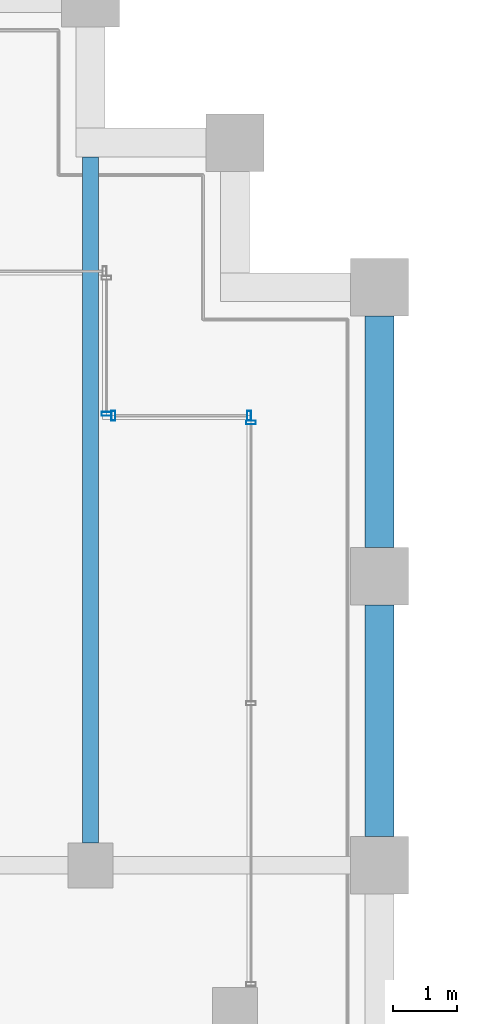
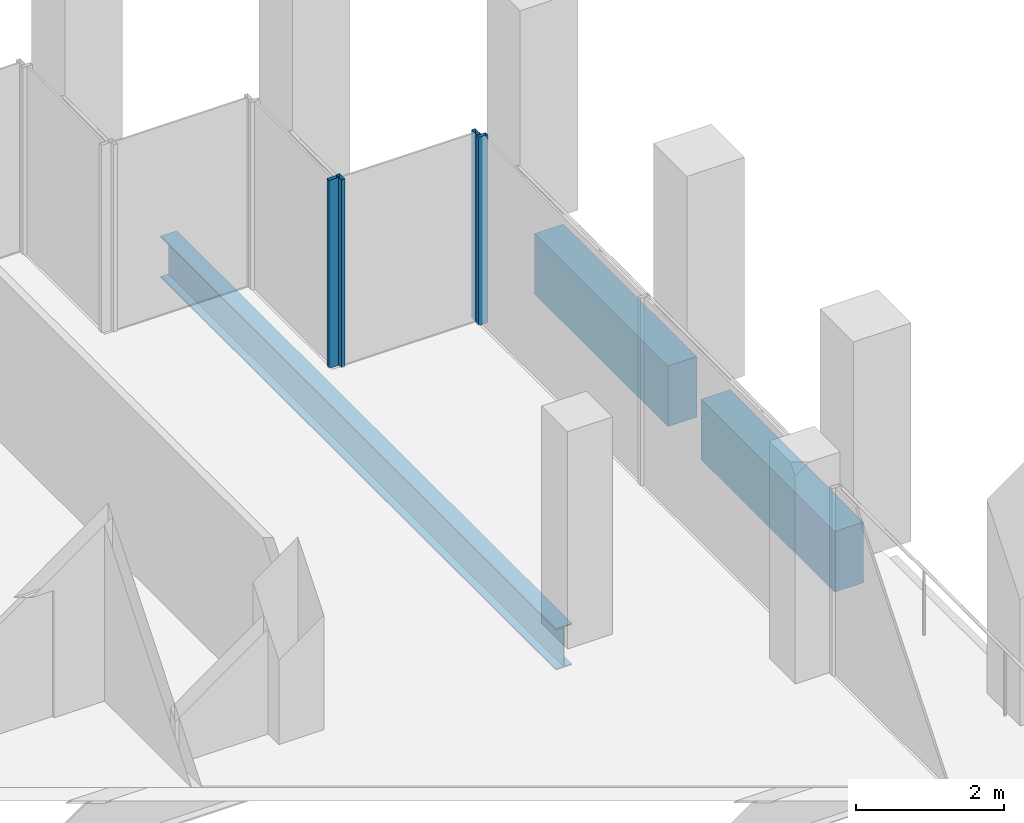
# One storey, part 25 of 40: 4 members, 3 beams, 3 elements without a shape of their own.
"""IFC4 building model written with IfcOpenShell, lengths in metres."""

from ifc_helpers import new_model, si_unit, direction, frame, origin, origin_2d, place, context, subcontext, project, spatial, rectangle, hollow_rectangle, i_section, extrude, material, material_profile, profile_set, type_object, element, aggregate, save


model = new_model("IFC4")

# Units and contexts
model_context = context("Model", 3, precision=1e-05, world=origin(), true_north=direction((0.0, 1.0)))
body_context = subcontext(model_context, "Body", "Model", "MODEL_VIEW")
ifc_project = project(units=[si_unit("LENGTHUNIT", "METRE"), si_unit("AREAUNIT", "SQUARE_METRE"), si_unit("VOLUMEUNIT", "CUBIC_METRE"), si_unit("PLANEANGLEUNIT", "RADIAN"), si_unit("MASSUNIT", "GRAM", prefix="KILO")], contexts=[model_context])

# Site, building, storey
site_placement = place(None, origin())
site = spatial("IfcSite", under=ifc_project, at=site_placement, CompositionType="ELEMENT")
building_placement = place(site_placement, origin())
building = spatial("IfcBuilding", under=site, at=building_placement, Name="Altepetl Exchange Towers", CompositionType="ELEMENT")
storey_placement = place(building_placement, frame((0.0, 0.0, 183.39990234375)))
storey = spatial("IfcBuildingStorey", under=building, at=storey_placement, Name="L46", CompositionType="ELEMENT", Elevation=183.39990234375)

# Beam
ifc_material_1 = material(Name="Steel S355", Category="steel")
ifc_material_profile_1 = material_profile(ifc_material_1, i_section(OverallWidth=0.25390625, OverallDepth=0.68408203125, WebThickness=0.012451171875, FlangeThickness=0.018798828125, at=origin_2d()), Name="W27X94")
ifc_profile_set_1 = profile_set([ifc_material_profile_1], Name="Steel S355")
beam_type_1 = type_object("IfcBeamType", Name="Floor beam W27X94", PredefinedType="BEAM", material=ifc_profile_set_1)
beam_placement = place(storey_placement, frame((67.5, 58.85009765625, -0.491943359375), z_axis=(0.0, 1.0, 0.0), x_axis=(-1.0, 0.0, 0.0)))
element("IfcBeam", 1, at=beam_placement, inside=storey, type_object=beam_type_1, Name="bm:A:L46:005", PredefinedType="BEAM", context=body_context, shape_type="SweptSolid", body=[
    extrude(i_section(OverallWidth=0.25390625, OverallDepth=0.68408203125, WebThickness=0.012451171875, FlangeThickness=0.018798828125, at=origin_2d()), origin(), (0.0, 0.0, 1.0), 10.6748046875),
])

# Curtain wall, member
ifc_material_2 = material(Name="Aluminium 6063-T6 glazing", Category="aluminium")
curtain_wall_type = type_object("IfcCurtainWallType", Name="Loggia glazing system", PredefinedType="NOTDEFINED", material=ifc_material_2)
curtain_wall_1_placement = place(storey_placement, origin())
curtain_wall_1 = element("IfcCurtainWall", 2, at=curtain_wall_1_placement, inside=storey, type_object=curtain_wall_type, Name="CW1 run", PredefinedType="NOTDEFINED")
ifc_material_3 = material(Name="Aluminium 6063-T6", Category="aluminium")
ifc_material_profile_2 = material_profile(ifc_material_3, hollow_rectangle(XDim=0.06005859375, YDim=0.14990234375, WallThickness=0.0029296875, at=origin_2d()), Name="Mullion 60x150 aluminium")
ifc_profile_set_2 = profile_set([ifc_material_profile_2], Name="Aluminium 6063-T6")
member_type = type_object("IfcMemberType", Name="Mullion 60x150 aluminium", PredefinedType="MULLION", material=ifc_profile_set_2)
member_1_placement = place(storey_placement, frame((70.0, 65.39501953125, 0.0), z_axis=(0.0, 0.0, 1.0), x_axis=(0.0, 1.0, 0.0)))
member_1 = element("IfcMember", 3, at=member_1_placement, type_object=member_type, Name="MU1 mullion", PredefinedType="MULLION", context=body_context, shape_type="SweptSolid", body=[
    extrude(hollow_rectangle(XDim=0.06005859375, YDim=0.14990234375, WallThickness=0.0029296875, at=origin_2d()), origin(), (0.0, 0.0, 1.0), 3.10009765625),
])
aggregate(curtain_wall_1, [member_1])

# Curtain wall, members
curtain_wall_2_placement = place(storey_placement, origin())
curtain_wall_2 = element("IfcCurtainWall", 4, at=curtain_wall_2_placement, inside=storey, type_object=curtain_wall_type, Name="CW1 run", PredefinedType="NOTDEFINED")
member_2_placement = place(storey_placement, frame((69.969970703125, 65.5, 0.0), z_axis=(0.0, 0.0, 1.0), x_axis=(-1.0, 0.0, 0.0)))
member_2 = element("IfcMember", 5, at=member_2_placement, type_object=member_type, Name="MU1 mullion", PredefinedType="MULLION", context=body_context, shape_type="SweptSolid", body=[
    extrude(hollow_rectangle(XDim=0.06005859375, YDim=0.14990234375, WallThickness=0.0029296875, at=origin_2d()), origin(), (0.0, 0.0, 1.0), 3.10009765625),
])
member_3_placement = place(storey_placement, frame((67.85498046875, 65.5, 0.0), z_axis=(0.0, 0.0, 1.0), x_axis=(-1.0, 0.0, 0.0)))
member_3 = element("IfcMember", 6, at=member_3_placement, type_object=member_type, Name="MU1 mullion", PredefinedType="MULLION", context=body_context, shape_type="SweptSolid", body=[
    extrude(hollow_rectangle(XDim=0.06005859375, YDim=0.14990234375, WallThickness=0.0029296875, at=origin_2d()), origin(), (0.0, 0.0, 1.0), 3.10009765625),
])
aggregate(curtain_wall_2, [member_2, member_3])

# Curtain wall, member
curtain_wall_3_placement = place(storey_placement, origin())
curtain_wall_3 = element("IfcCurtainWall", 7, at=curtain_wall_3_placement, inside=storey, type_object=curtain_wall_type, Name="CW1 run", PredefinedType="NOTDEFINED")
member_4_placement = place(storey_placement, frame((67.75, 65.530029296875, 0.0), z_axis=(0.0, 0.0, 1.0), x_axis=(0.0, 1.0, 0.0)))
member_4 = element("IfcMember", 8, at=member_4_placement, type_object=member_type, Name="MU1 mullion", PredefinedType="MULLION", context=body_context, shape_type="SweptSolid", body=[
    extrude(hollow_rectangle(XDim=0.06005859375, YDim=0.14990234375, WallThickness=0.0029296875, at=origin_2d()), origin(), (0.0, 0.0, 1.0), 3.10009765625),
])
aggregate(curtain_wall_3, [member_4])

# Beams
ifc_material_4 = material(Name="Concrete C50/60 precast with cantera rosa facing", Category="concrete")
ifc_material_profile_3 = material_profile(ifc_material_4, rectangle(XDim=0.449951171875, YDim=1.0, at=origin_2d()), Name="450 x 1000")
ifc_profile_set_3 = profile_set([ifc_material_profile_3], Name="Concrete C50/60 precast with cantera rosa facing")
beam_type_2 = type_object("IfcBeamType", Name="Spandrel beam 450x1000 cantera rosa", PredefinedType="SPANDREL", material=ifc_profile_set_3)
for number, where, z_axis, x_axis, name in (
    (9, (72.0, 58.949951171875, -0.64990234375), (0.0, 1.0, 0.0), (-1.0, 0.0, 0.0), "sp:A:L46:018"),
    (10, (72.0, 63.449951171875, -0.64990234375), (0.0, 1.0, 0.0), (-1.0, 0.0, 0.0), "sp:A:L46:019"),
):
    element("IfcBeam", number, at=place(storey_placement, frame(where, z_axis=z_axis, x_axis=x_axis)), inside=storey, type_object=beam_type_2, Name=name, PredefinedType="SPANDREL", context=body_context, shape_type="SweptSolid", body=[
        extrude(rectangle(XDim=0.449951171875, YDim=1.0, at=origin_2d()), origin(), (0.0, 0.0, 1.0), 3.60009765625),
    ])

save(model, "model.ifc")
